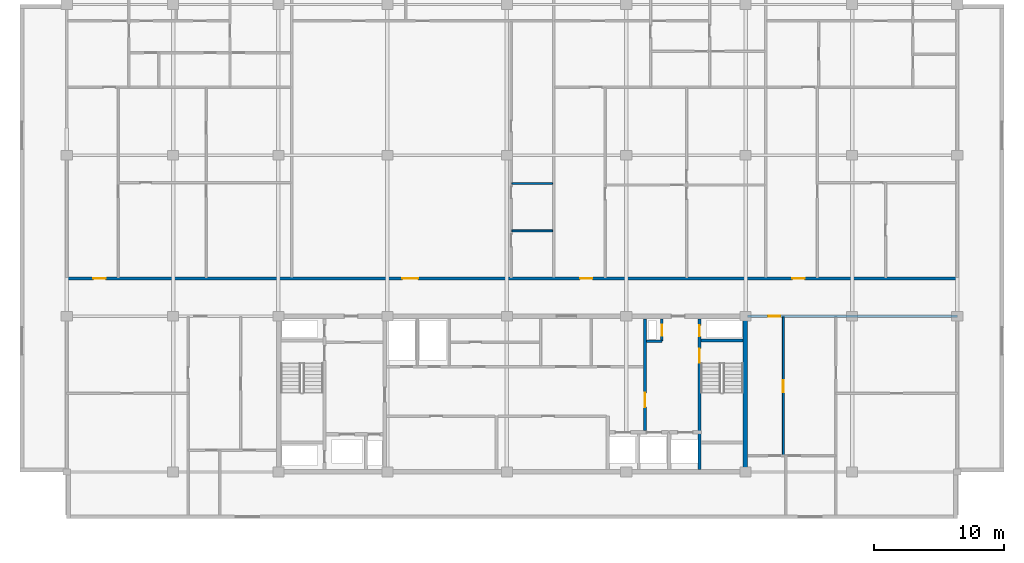
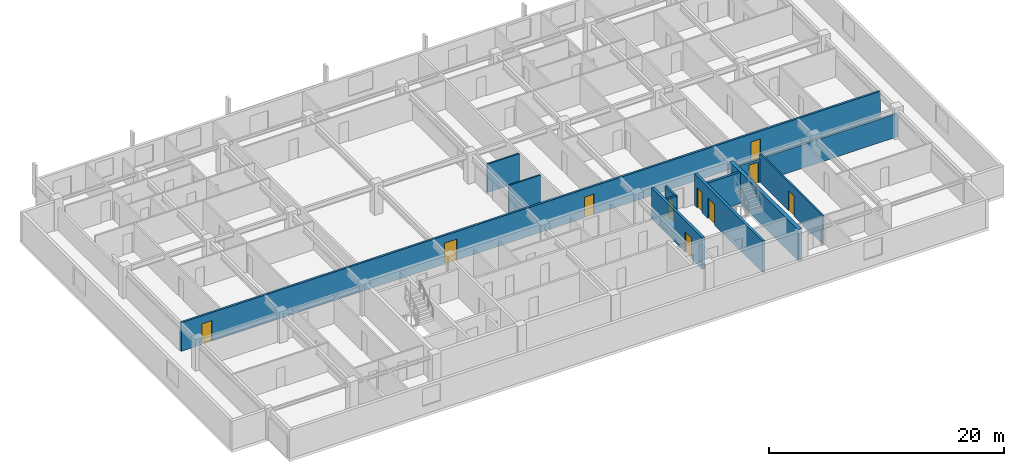
# One storey, part 5 of 10: 11 walls, 10 doors, 10 openings.
"""IFC4 building model written with IfcOpenShell, lengths in metres."""

from ifc_helpers import new_model, si_unit, direction, frame, frame_2d, origin, place, context, subcontext, project, spatial, rectangle, extrude, material, layer, layer_set, type_object, element, fill, save


model = new_model("IFC4")

# Units and contexts
model_context = context("Model", 3, precision=1e-05, world=origin(), true_north=direction((0.0, 1.0)))
body_context = subcontext(model_context, "Body", "Model", "MODEL_VIEW")
ifc_project = project(units=[si_unit("LENGTHUNIT", "METRE"), si_unit("AREAUNIT", "SQUARE_METRE"), si_unit("VOLUMEUNIT", "CUBIC_METRE"), si_unit("PLANEANGLEUNIT", "RADIAN"), si_unit("MASSUNIT", "GRAM", prefix="KILO")], contexts=[model_context])

# Site, building, storey
site_placement = place(None, origin())
site = spatial("IfcSite", under=ifc_project, at=site_placement, CompositionType="ELEMENT")
building_placement = place(site_placement, origin())
building = spatial("IfcBuilding", under=site, at=building_placement, Name="Korimba Cascade Residences", CompositionType="ELEMENT")
storey_placement = place(building_placement, frame((0.0, 0.0, 214.10009765625)))
storey = spatial("IfcBuildingStorey", under=building, at=storey_placement, Name="L62", CompositionType="ELEMENT", Elevation=214.10009765625)

# Wall
ifc_material_1 = material(Name="Concrete C65/80", Category="concrete")
ifc_layer_1 = layer(ifc_material_1, 0.35009765625)
ifc_layer_set_1 = layer_set([ifc_layer_1], Name="Concrete C65/80")
wall_type_1 = type_object("IfcWallType", Name="WAL-CORE-350", PredefinedType="SHEAR", material=ifc_layer_set_1)
wall_1_placement = place(storey_placement, frame((112.074951171875, 55.375, 0.0), z_axis=(0.0, 0.0, 1.0), x_axis=(0.0, 1.0, 0.0)))
element("IfcWall", 1, at=wall_1_placement, inside=storey, type_object=wall_type_1, Name="L62 Core Shear Wall CW-L62-T1-E", PredefinedType="SHEAR", context=body_context, shape_type="SweptSolid", body=[
    extrude(rectangle(XDim=11.64990234375, YDim=0.35009765625, at=frame_2d((5.824951171875, 0.0))), origin(), (0.0, 0.0, 1.0), 3.25),
])

# Wall, opening, door
ifc_material_2 = material(Name="Precast concrete C40/50", Category="concrete")
ifc_layer_2 = layer(ifc_material_2, 0.199951171875)
ifc_layer_set_2 = layer_set([ifc_layer_2], Name="Precast concrete C40/50")
wall_type_2 = type_object("IfcWallType", Name="WAL-IT-200", PredefinedType="PARTITIONING", material=ifc_layer_set_2)
wall_2_placement = place(storey_placement, frame((112.25, 67.199951171875, 0.0), z_axis=(0.0, 0.0, 1.0), x_axis=(1.0, 0.0, 0.0)))
wall_2 = element("IfcWall", 2, at=wall_2_placement, inside=storey, type_object=wall_type_2, Name="L62 Partition Wall WAL-L62-T1-FE-N", PredefinedType="PARTITIONING", context=body_context, shape_type="SweptSolid", body=[
    extrude(rectangle(XDim=16.14990234375, YDim=0.199951171875, at=frame_2d((8.074951171875, 0.0))), origin(), (0.0, 0.0, 1.0), 2.43310546875),
])
opening_1_placement = place(wall_2_placement, frame((1.580078125, 0.0, 0.0)))
opening_1 = element("IfcOpeningElement", 3, at=opening_1_placement, cuts=wall_2, Name="Opening D-UN1", PredefinedType="OPENING", context=body_context, shape_type="SweptSolid", body=[
    extrude(rectangle(XDim=0.949951171875, YDim=2.14990234375, at=frame_2d((0.47509765625, 1.074951171875))), frame((0.0, 0.10986328125, 0.0), z_axis=(0.0, -1.0, 0.0), x_axis=(1.0, 0.0, 0.0)), (0.0, 0.0, 1.0), 0.219970703125),
])
ifc_material_3 = material(Name="Fire-Rated Hardwood Apartment Entrance Door", Category="wood")
door_type_1 = type_object("IfcDoorType", Name="DR-FD60-950", OperationType="NOTDEFINED", PredefinedType="DOOR", material=ifc_material_3)
door_1_placement = place(opening_1_placement, origin())
door_1 = element("IfcDoor", 4, at=door_1_placement, inside=storey, type_object=door_type_1, Name="L62-T1-FE Entrance Door", OperationType="SINGLE_SWING_LEFT", OverallHeight=2.14990234375, OverallWidth=0.949951171875, PredefinedType="DOOR", context=body_context, shape_type="SweptSolid", body=[
    extrude(rectangle(XDim=0.949951171875, YDim=2.14990234375, at=frame_2d((0.47509765625, 1.074951171875))), frame((0.0, 0.02490234375, 0.0), z_axis=(0.0, -1.0, 0.0), x_axis=(1.0, 0.0, 0.0)), (0.0, 0.0, 1.0), 0.050048828125),
])
fill(opening_1, door_1)

# Wall, openings, doors
wall_3_placement = place(storey_placement, frame((59.800048828125, 70.10009765625, 0.0), z_axis=(0.0, 0.0, 1.0), x_axis=(1.0, 0.0, 0.0)))
wall_3 = element("IfcWall", 5, at=wall_3_placement, inside=storey, type_object=wall_type_2, Name="L62 Partition Wall WAL-L62-T1-CORN", PredefinedType="PARTITIONING", context=body_context, shape_type="SweptSolid", body=[
    extrude(rectangle(XDim=68.599853515625, YDim=0.199951171875, at=frame_2d((34.2998046875, 0.0))), origin(), (0.0, 0.0, 1.0), 2.969970703125),
])
opening_2_placement = place(wall_3_placement, frame((2.044921875, 0.0, 0.0)))
opening_2 = element("IfcOpeningElement", 6, at=opening_2_placement, cuts=wall_3, Name="Opening D-UN1", PredefinedType="OPENING", context=body_context, shape_type="SweptSolid", body=[
    extrude(rectangle(XDim=0.949951171875, YDim=2.14990234375, at=frame_2d((0.47509765625, 1.074951171875))), frame((0.0, 0.10986328125, 0.0), z_axis=(0.0, -1.0, 0.0), x_axis=(1.0, 0.0, 0.0)), (0.0, 0.0, 1.0), 0.219970703125),
])
opening_3_placement = place(wall_3_placement, frame((25.85009765625, 0.0, 0.0)))
opening_3 = element("IfcOpeningElement", 7, at=opening_3_placement, cuts=wall_3, Name="Opening D-AM1", PredefinedType="OPENING", context=body_context, shape_type="SweptSolid", body=[
    extrude(rectangle(XDim=1.219970703125, YDim=2.179931640625, at=frame_2d((0.60986328125, 1.08984375))), frame((0.0, 0.10986328125, 0.0), z_axis=(0.0, -1.0, 0.0), x_axis=(1.0, 0.0, 0.0)), (0.0, 0.0, 1.0), 0.219970703125),
])
opening_4_placement = place(wall_3_placement, frame((39.5498046875, 0.0, 0.0)))
opening_4 = element("IfcOpeningElement", 8, at=opening_4_placement, cuts=wall_3, Name="Opening D-UN1", PredefinedType="OPENING", context=body_context, shape_type="SweptSolid", body=[
    extrude(rectangle(XDim=0.949951171875, YDim=2.14990234375, at=frame_2d((0.47509765625, 1.074951171875))), frame((0.0, 0.10986328125, 0.0), z_axis=(0.0, -1.0, 0.0), x_axis=(1.0, 0.0, 0.0)), (0.0, 0.0, 1.0), 0.219970703125),
])
opening_5_placement = place(wall_3_placement, frame((55.901123046875, 0.0, 0.0)))
opening_5 = element("IfcOpeningElement", 9, at=opening_5_placement, cuts=wall_3, Name="Opening D-UN1", PredefinedType="OPENING", context=body_context, shape_type="SweptSolid", body=[
    extrude(rectangle(XDim=0.949951171875, YDim=2.14990234375, at=frame_2d((0.47509765625, 1.074951171875))), frame((0.0, 0.10986328125, 0.0), z_axis=(0.0, -1.0, 0.0), x_axis=(1.0, 0.0, 0.0)), (0.0, 0.0, 1.0), 0.219970703125),
])
ifc_material_4 = material(Name="Fire-Rated Glazed Timber Suite Door", Category="wood")
door_type_2 = type_object("IfcDoorType", Name="DR-FD60-1200", OperationType="NOTDEFINED", PredefinedType="DOOR", material=ifc_material_4)
door_2_placement = place(opening_3_placement, origin())
door_2 = element("IfcDoor", 10, at=door_2_placement, inside=storey, type_object=door_type_2, Name="L62-T1-U02 Business Collaboration Office Door", OperationType="SINGLE_SWING_LEFT", OverallHeight=2.179931640625, OverallWidth=1.219970703125, PredefinedType="DOOR", context=body_context, shape_type="SweptSolid", body=[
    extrude(rectangle(XDim=1.219970703125, YDim=2.179931640625, at=frame_2d((0.60986328125, 1.08984375))), frame((0.0, 0.02490234375, 0.0), z_axis=(0.0, -1.0, 0.0), x_axis=(1.0, 0.0, 0.0)), (0.0, 0.0, 1.0), 0.050048828125),
])
fill(opening_3, door_2)
door_3_placement = place(opening_2_placement, origin())
door_3 = element("IfcDoor", 11, at=door_3_placement, inside=storey, type_object=door_type_1, Name="Unit L62-T1-U01 Entrance Door", OperationType="SINGLE_SWING_RIGHT", OverallHeight=2.14990234375, OverallWidth=0.949951171875, PredefinedType="DOOR", context=body_context, shape_type="SweptSolid", body=[
    extrude(rectangle(XDim=0.949951171875, YDim=2.14990234375, at=frame_2d((0.47509765625, 1.074951171875))), frame((0.0, 0.02490234375, 0.0), z_axis=(0.0, -1.0, 0.0), x_axis=(1.0, 0.0, 0.0)), (0.0, 0.0, 1.0), 0.050048828125),
])
fill(opening_2, door_3)
door_4_placement = place(opening_4_placement, origin())
door_4 = element("IfcDoor", 12, at=door_4_placement, inside=storey, type_object=door_type_1, Name="Unit L62-T1-U03 Entrance Door", OperationType="SINGLE_SWING_RIGHT", OverallHeight=2.14990234375, OverallWidth=0.949951171875, PredefinedType="DOOR", context=body_context, shape_type="SweptSolid", body=[
    extrude(rectangle(XDim=0.949951171875, YDim=2.14990234375, at=frame_2d((0.47509765625, 1.074951171875))), frame((0.0, 0.02490234375, 0.0), z_axis=(0.0, -1.0, 0.0), x_axis=(1.0, 0.0, 0.0)), (0.0, 0.0, 1.0), 0.050048828125),
])
fill(opening_4, door_4)
door_5_placement = place(opening_5_placement, origin())
door_5 = element("IfcDoor", 13, at=door_5_placement, inside=storey, type_object=door_type_1, Name="Unit L62-T1-U04 Entrance Door", OperationType="SINGLE_SWING_LEFT", OverallHeight=2.14990234375, OverallWidth=0.949951171875, PredefinedType="DOOR", context=body_context, shape_type="SweptSolid", body=[
    extrude(rectangle(XDim=0.949951171875, YDim=2.14990234375, at=frame_2d((0.47509765625, 1.074951171875))), frame((0.0, 0.02490234375, 0.0), z_axis=(0.0, -1.0, 0.0), x_axis=(1.0, 0.0, 0.0)), (0.0, 0.0, 1.0), 0.050048828125),
])
fill(opening_5, door_5)

# Wall, opening, door
ifc_material_5 = material(Name="Insulated Acoustic Stud Partition", Category="gypsum")
ifc_layer_3 = layer(ifc_material_5, 0.14990234375)
ifc_layer_set_3 = layer_set([ifc_layer_3], Name="Insulated Acoustic Stud Partition")
wall_type_3 = type_object("IfcWallType", Name="WAL-PART-150", PredefinedType="PARTITIONING", material=ifc_layer_set_3)
wall_4_placement = place(storey_placement, frame((115.0, 56.449951171875, 0.0), z_axis=(0.0, 0.0, 1.0), x_axis=(0.0, 1.0, 0.0)))
wall_4 = element("IfcWall", 14, at=wall_4_placement, inside=storey, type_object=wall_type_3, Name="L62 Partition Wall WAL-L62-T1-FE-VN", PredefinedType="PARTITIONING", context=body_context, shape_type="SweptSolid", body=[
    extrude(rectangle(XDim=10.699951171875, YDim=0.14990234375, at=frame_2d((5.35009765625, 0.0))), origin(), (0.0, 0.0, 1.0), 2.969970703125),
])
opening_6_placement = place(wall_4_placement, frame((4.889892578125, 0.0, 0.0)))
opening_6 = element("IfcOpeningElement", 15, at=opening_6_placement, cuts=wall_4, Name="Opening D-IN1", PredefinedType="OPENING", context=body_context, shape_type="SweptSolid", body=[
    extrude(rectangle(XDim=0.919921875, YDim=2.080078125, at=frame_2d((0.4599609375, 1.0400390625))), frame((0.0, 0.0849609375, 0.0), z_axis=(0.0, -1.0, 0.0), x_axis=(1.0, 0.0, 0.0)), (0.0, 0.0, 1.0), 0.169921875),
])
ifc_material_6 = material(Name="Acoustic Timber Living Door", Category="wood")
door_type_3 = type_object("IfcDoorType", Name="DR-INT-920", OperationType="NOTDEFINED", PredefinedType="DOOR", material=ifc_material_6)
door_6_placement = place(opening_6_placement, origin())
door_6 = element("IfcDoor", 16, at=door_6_placement, inside=storey, type_object=door_type_3, Name="L62-T1-FE Living Door", OperationType="SINGLE_SWING_RIGHT", OverallHeight=2.080078125, OverallWidth=0.919921875, PredefinedType="DOOR", context=body_context, shape_type="SweptSolid", body=[
    extrude(rectangle(XDim=0.919921875, YDim=2.080078125, at=frame_2d((0.4599609375, 1.0400390625))), frame((0.0, 0.02490234375, 0.0), z_axis=(0.0, -1.0, 0.0), x_axis=(1.0, 0.0, 0.0)), (0.0, 0.0, 1.0), 0.050048828125),
])
fill(opening_6, door_6)

# Walls
for number, where, z_axis, x_axis, name in (
    (17, (94.0947265625, 73.77001953125, 0.0), (0.0, 0.0, 1.0), (1.0, 0.0, 0.0), "L62 Partition Wall WAL-L62-T1-U02-WCH"),
    (18, (94.0947265625, 77.419921875, 0.0), (0.0, 0.0, 1.0), (1.0, 0.0, 0.0), "L62 Partition Wall WAL-L62-T1-U02-WCH2"),
):
    element("IfcWall", number, at=place(storey_placement, frame(where, z_axis=z_axis, x_axis=x_axis)), inside=storey, type_object=wall_type_3, Name=name, PredefinedType="PARTITIONING", context=body_context, shape_type="SweptSolid", body=[
        extrude(rectangle(XDim=3.130126953125, YDim=0.14990234375, at=frame_2d((1.56494140625, 0.0))), origin(), (0.0, 0.0, 1.0), 2.969970703125),
    ])
ifc_material_7 = material(Name="Concrete C40/50", Category="concrete")
ifc_layer_4 = layer(ifc_material_7, 0.199951171875)
ifc_layer_set_4 = layer_set([ifc_layer_4], Name="Concrete C40/50")
wall_type_4 = type_object("IfcWallType", Name="WAL-PART-200", PredefinedType="PARTITIONING", material=ifc_layer_set_4)
wall_5_placement = place(storey_placement, frame((104.449951171875, 65.280029296875, 0.0), z_axis=(0.0, 0.0, 1.0), x_axis=(1.0, 0.0, 0.0)))
element("IfcWall", 19, at=wall_5_placement, inside=storey, type_object=wall_type_4, Name="L62 Partition Wall CW-L62-T1-HYDW2S", PredefinedType="PARTITIONING", context=body_context, shape_type="SweptSolid", body=[
    extrude(rectangle(XDim=1.199951171875, YDim=0.199951171875, at=frame_2d((0.60009765625, 0.0))), origin(), (0.0, 0.0, 1.0), 2.969970703125),
])

# Wall, opening, door
wall_6_placement = place(storey_placement, frame((105.64990234375, 65.280029296875, 0.0), z_axis=(0.0, 0.0, 1.0), x_axis=(0.0, 1.0, 0.0)))
wall_6 = element("IfcWall", 20, at=wall_6_placement, inside=storey, type_object=wall_type_4, Name="L62 Partition Wall CW-L62-T1-HYDW2E", PredefinedType="PARTITIONING", context=body_context, shape_type="SweptSolid", body=[
    extrude(rectangle(XDim=1.719970703125, YDim=0.199951171875, at=frame_2d((0.85986328125, 0.0))), origin(), (0.0, 0.0, 1.0), 2.969970703125),
])
opening_7_placement = place(wall_6_placement, frame((0.39990234375, 0.0, 0.0)))
opening_7 = element("IfcOpeningElement", 21, at=opening_7_placement, cuts=wall_6, Name="Opening D-RS1", PredefinedType="OPENING", context=body_context, shape_type="SweptSolid", body=[
    extrude(rectangle(XDim=0.85009765625, YDim=2.050048828125, at=frame_2d((0.425048828125, 1.02490234375))), frame((0.0, 0.10986328125, 0.0), z_axis=(0.0, -1.0, 0.0), x_axis=(1.0, 0.0, 0.0)), (0.0, 0.0, 1.0), 0.219970703125),
])
ifc_material_8 = material(Name="Fire-Rated Steel Riser Access Door", Category="steel")
door_type_4 = type_object("IfcDoorType", Name="DR-FD60-850", OperationType="NOTDEFINED", PredefinedType="DOOR", material=ifc_material_8)
door_7_placement = place(opening_7_placement, origin())
door_7 = element("IfcDoor", 22, at=door_7_placement, inside=storey, type_object=door_type_4, Name="L62 East Hydrant Door", OperationType="SINGLE_SWING_RIGHT", OverallHeight=2.050048828125, OverallWidth=0.85009765625, PredefinedType="DOOR", context=body_context, shape_type="SweptSolid", body=[
    extrude(rectangle(XDim=0.85009765625, YDim=2.050048828125, at=frame_2d((0.425048828125, 1.02490234375))), frame((0.0, 0.02490234375, 0.0), z_axis=(0.0, -1.0, 0.0), x_axis=(1.0, 0.0, 0.0)), (0.0, 0.0, 1.0), 0.050048828125),
])
fill(opening_7, door_7)

ifc_material_9 = material(Name="Concrete C50/60", Category="concrete")
ifc_layer_5 = layer(ifc_material_9, 0.25)
ifc_layer_set_5 = layer_set([ifc_layer_5], Name="Concrete C50/60")
wall_type_5 = type_object("IfcWallType", Name="WAL-SHAFT-250", PredefinedType="SHEAR", material=ifc_layer_set_5)
wall_7_placement = place(storey_placement, frame((104.35009765625, 58.39990234375, 0.0), z_axis=(0.0, 0.0, 1.0), x_axis=(0.0, 1.0, 0.0)))
wall_7 = element("IfcWall", 23, at=wall_7_placement, inside=storey, type_object=wall_type_5, Name="L62 Core Shear Wall CW-L62-T1-LLEV", PredefinedType="SHEAR", context=body_context, shape_type="SweptSolid", body=[
    extrude(rectangle(XDim=8.60009765625, YDim=0.25, at=frame_2d((4.300048828125, 0.0))), origin(), (0.0, 0.0, 1.0), 3.25),
])
opening_8_placement = place(wall_7_placement, frame((1.800048828125, 0.0, 0.0)))
opening_8 = element("IfcOpeningElement", 24, at=opening_8_placement, cuts=wall_7, Name="Opening D-FD1", PredefinedType="OPENING", context=body_context, shape_type="SweptSolid", body=[
    extrude(rectangle(XDim=1.10009765625, YDim=2.10009765625, at=frame_2d((0.550048828125, 1.050048828125))), frame((0.0, 0.135009765625, 0.0), z_axis=(0.0, -1.0, 0.0), x_axis=(1.0, 0.0, 0.0)), (0.0, 0.0, 1.0), 0.27001953125),
])
ifc_material_10 = material(Name="Fire-Rated Steel Core Door", Category="steel")
door_type_5 = type_object("IfcDoorType", Name="DR-FD120-1100", OperationType="NOTDEFINED", PredefinedType="DOOR", material=ifc_material_10)
door_8_placement = place(opening_8_placement, origin())
door_8 = element("IfcDoor", 25, at=door_8_placement, inside=storey, type_object=door_type_5, Name="L62 Lift Lobby to East Firefighting Lobby Door", OperationType="SINGLE_SWING_LEFT", OverallHeight=2.10009765625, OverallWidth=1.10009765625, PredefinedType="DOOR", context=body_context, shape_type="SweptSolid", body=[
    extrude(rectangle(XDim=1.10009765625, YDim=2.10009765625, at=frame_2d((0.550048828125, 1.050048828125))), frame((0.0, 0.02490234375, 0.0), z_axis=(0.0, -1.0, 0.0), x_axis=(1.0, 0.0, 0.0)), (0.0, 0.0, 1.0), 0.050048828125),
])
fill(opening_8, door_8)

# Wall, openings, doors
wall_8_placement = place(storey_placement, frame((108.534912109375, 55.39990234375, 0.0), z_axis=(0.0, 0.0, 1.0), x_axis=(0.0, 1.0, 0.0)))
wall_8 = element("IfcWall", 26, at=wall_8_placement, inside=storey, type_object=wall_type_5, Name="L62 Core Shear Wall CW-L62-T1-STW2W", PredefinedType="SHEAR", context=body_context, shape_type="SweptSolid", body=[
    extrude(rectangle(XDim=11.60009765625, YDim=0.25, at=frame_2d((5.800048828125, 0.0))), origin(), (0.0, 0.0, 1.0), 3.25),
])
opening_9_placement = place(wall_8_placement, frame((8.199951171875, 0.0, 0.0)))
opening_9 = element("IfcOpeningElement", 27, at=opening_9_placement, cuts=wall_8, Name="Opening D-FD1", PredefinedType="OPENING", context=body_context, shape_type="SweptSolid", body=[
    extrude(rectangle(XDim=1.10009765625, YDim=2.10009765625, at=frame_2d((0.550048828125, 1.050048828125))), frame((0.0, 0.135009765625, 0.0), z_axis=(0.0, -1.0, 0.0), x_axis=(1.0, 0.0, 0.0)), (0.0, 0.0, 1.0), 0.27001953125),
])
opening_10_placement = place(wall_8_placement, frame((10.25, 0.0, 0.0)))
opening_10 = element("IfcOpeningElement", 28, at=opening_10_placement, cuts=wall_8, Name="Opening D-RS1", PredefinedType="OPENING", context=body_context, shape_type="SweptSolid", body=[
    extrude(rectangle(XDim=0.85009765625, YDim=2.050048828125, at=frame_2d((0.425048828125, 1.02490234375))), frame((0.0, 0.135009765625, 0.0), z_axis=(0.0, -1.0, 0.0), x_axis=(1.0, 0.0, 0.0)), (0.0, 0.0, 1.0), 0.27001953125),
])
door_9_placement = place(opening_9_placement, origin())
door_9 = element("IfcDoor", 29, at=door_9_placement, inside=storey, type_object=door_type_5, Name="L62 Fire Stair ST-W2 Door", OperationType="SINGLE_SWING_RIGHT", OverallHeight=2.10009765625, OverallWidth=1.10009765625, PredefinedType="DOOR", context=body_context, shape_type="SweptSolid", body=[
    extrude(rectangle(XDim=1.10009765625, YDim=2.10009765625, at=frame_2d((0.550048828125, 1.050048828125))), frame((0.0, 0.02490234375, 0.0), z_axis=(0.0, -1.0, 0.0), x_axis=(1.0, 0.0, 0.0)), (0.0, 0.0, 1.0), 0.050048828125),
])
fill(opening_9, door_9)
door_10_placement = place(opening_10_placement, origin())
door_10 = element("IfcDoor", 30, at=door_10_placement, inside=storey, type_object=door_type_4, Name="L62 East Riser Door", OperationType="SINGLE_SWING_LEFT", OverallHeight=2.050048828125, OverallWidth=0.85009765625, PredefinedType="DOOR", context=body_context, shape_type="SweptSolid", body=[
    extrude(rectangle(XDim=0.85009765625, YDim=2.050048828125, at=frame_2d((0.425048828125, 1.02490234375))), frame((0.0, 0.02490234375, 0.0), z_axis=(0.0, -1.0, 0.0), x_axis=(1.0, 0.0, 0.0)), (0.0, 0.0, 1.0), 0.050048828125),
])
fill(opening_10, door_10)

# Wall
wall_9_placement = place(storey_placement, frame((108.659912109375, 65.324951171875, 0.0), z_axis=(0.0, 0.0, 1.0), x_axis=(1.0, 0.0, 0.0)))
element("IfcWall", 31, at=wall_9_placement, inside=storey, type_object=wall_type_5, Name="L62 Core Shear Wall CW-L62-T1-STW2N", PredefinedType="SHEAR", context=body_context, shape_type="SweptSolid", body=[
    extrude(rectangle(XDim=3.239990234375, YDim=0.25, at=frame_2d((1.6201171875, 0.0))), origin(), (0.0, 0.0, 1.0), 3.25),
])

save(model, "model.ifc")
